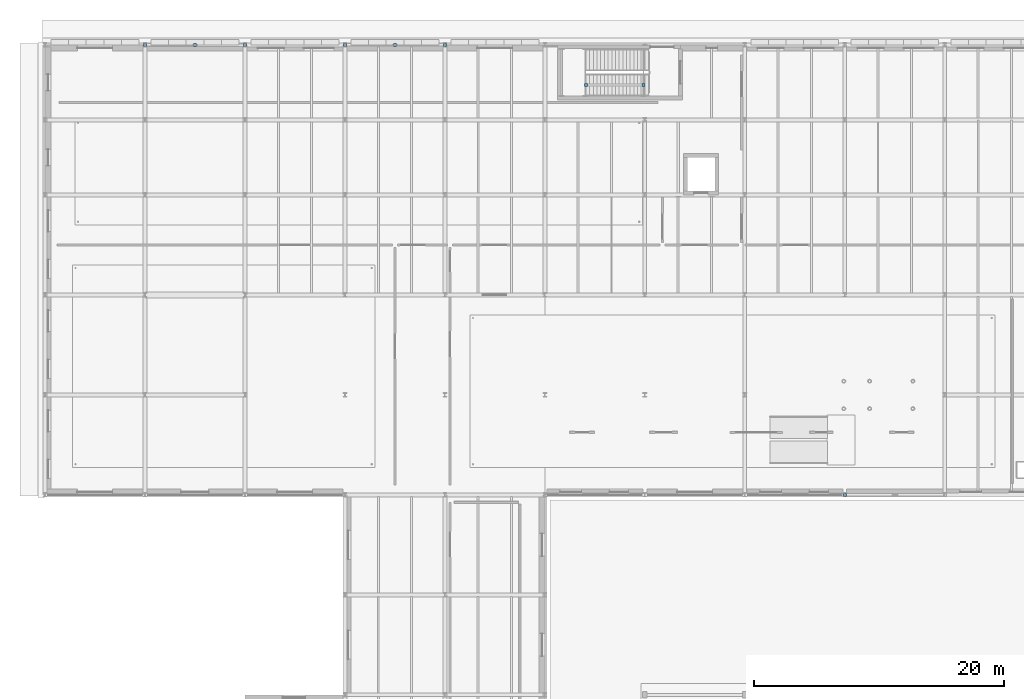
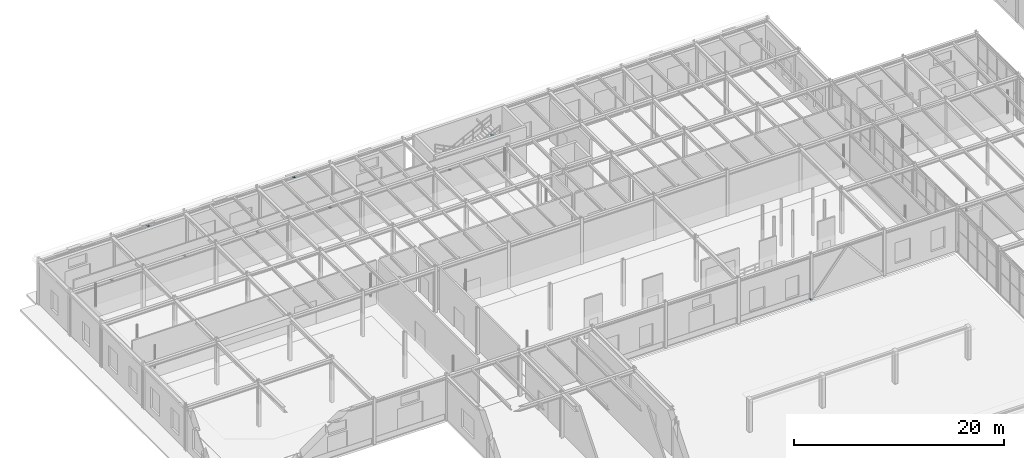
# One storey, part 106 of 129: 9 discrete accessories.
"""IFC4 building model written with IfcOpenShell, lengths in metres."""

from ifc_helpers import new_model, si_unit, direction, frame, origin, origin_2d, place, context, subcontext, project, spatial, rectangle, extrude, material, type_object, element, save


model = new_model("IFC4")

# Units and contexts
model_context = context("Model", 3, precision=1e-05, world=origin(), true_north=direction((0.0, 1.0)))
body_context = subcontext(model_context, "Body", "Model", "MODEL_VIEW")
ifc_project = project(units=[si_unit("LENGTHUNIT", "METRE"), si_unit("AREAUNIT", "SQUARE_METRE"), si_unit("VOLUMEUNIT", "CUBIC_METRE"), si_unit("PLANEANGLEUNIT", "RADIAN"), si_unit("MASSUNIT", "GRAM", prefix="KILO")], contexts=[model_context])

# Site, building, storey
site_placement = place(None, origin())
site = spatial("IfcSite", under=ifc_project, at=site_placement, CompositionType="ELEMENT")
building_placement = place(site_placement, origin())
building = spatial("IfcBuilding", under=site, at=building_placement, Name="Sundkrona Museum", CompositionType="ELEMENT")
storey_placement = place(building_placement, origin())
storey = spatial("IfcBuildingStorey", under=building, at=storey_placement, Name="L00", CompositionType="ELEMENT", Elevation=0.0)

# Discrete accessories
ifc_material = material(Name="Stainless Steel EN 1.4404 Cleat", Category="steel")
discrete_accessory_type = type_object("IfcDiscreteAccessoryType", Name="BRK-FIN-01", PredefinedType="BRACKET", material=ifc_material)
for number, where, z_axis, x_axis, name in (
    (1, (24.0, 114.0, -0.012451171875), (0.0, 0.0, 1.0), (1.0, 0.0, 0.0), "Brace and Strut End Connection Plate BR-L00-014A-1"),
    (2, (28.0, 114.0, 4.927490234375), (0.0, 0.0, 1.0), (1.0, 0.0, 0.0), "Brace and Strut End Connection Plate BR-L00-014A-2"),
    (3, (32.0, 114.0, -0.012451171875), (0.0, 0.0, 1.0), (1.0, 0.0, 0.0), "Brace and Strut End Connection Plate BR-L00-014B-1"),
    (4, (64.0, 78.0, -0.012451171875), (0.0, 0.0, 1.0), (1.0, 0.0, 0.0), "Brace and Strut End Connection Plate BR-L00-019A-1"),
    (5, (8.0, 114.0, -0.012451171875), (0.0, 0.0, 1.0), (1.0, 0.0, 0.0), "Brace and Strut End Connection Plate BR-L00-033A-1"),
    (6, (12.0, 114.0, 4.867431640625), (0.0, 0.0, 1.0), (1.0, 0.0, 0.0), "Brace and Strut End Connection Plate BR-L00-033A-2"),
    (7, (16.0, 114.0, -0.012451171875), (0.0, 0.0, 1.0), (1.0, 0.0, 0.0), "Brace and Strut End Connection Plate BR-L00-033B-1"),
    (8, (43.284912109375, 110.800048828125, 2.367431640625), (0.0, 0.0, 1.0), (1.0, 0.0, 0.0), "Brace and Strut End Connection Plate RK-ST-ST-3-L00-2-1"),
    (9, (47.89990234375, 110.800048828125, 4.8017578125), (0.0, 0.0, 1.0), (1.0, 0.0, 0.0), "Brace and Strut End Connection Plate RK-ST-ST-3-L00-2-2"),
):
    element("IfcDiscreteAccessory", number, at=place(storey_placement, frame(where, z_axis=z_axis, x_axis=x_axis)), inside=storey, type_object=discrete_accessory_type, Name=name, PredefinedType="BRACKET", context=body_context, shape_type="SweptSolid", body=[
        extrude(rectangle(XDim=0.239990234375, YDim=0.239990234375, at=origin_2d()), origin(), (0.0, 0.0, 1.0), 0.02490234375),
    ])

save(model, "model.ifc")
